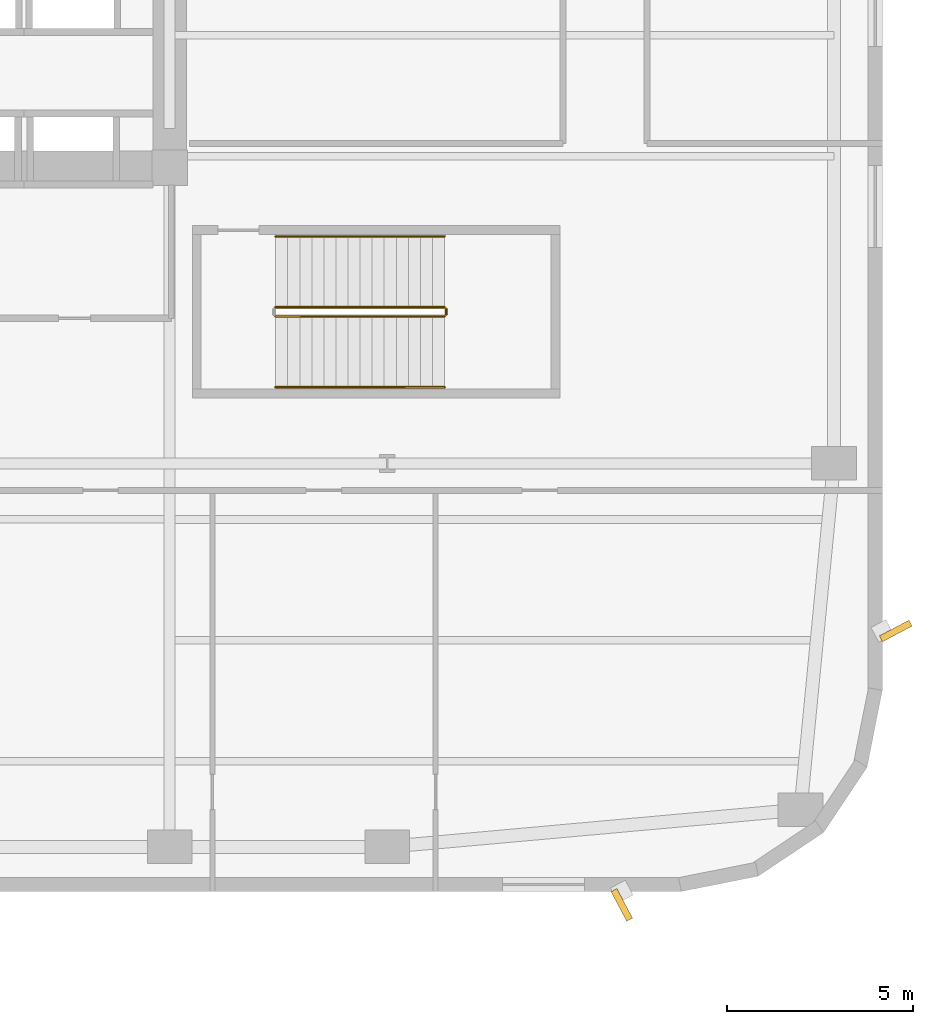
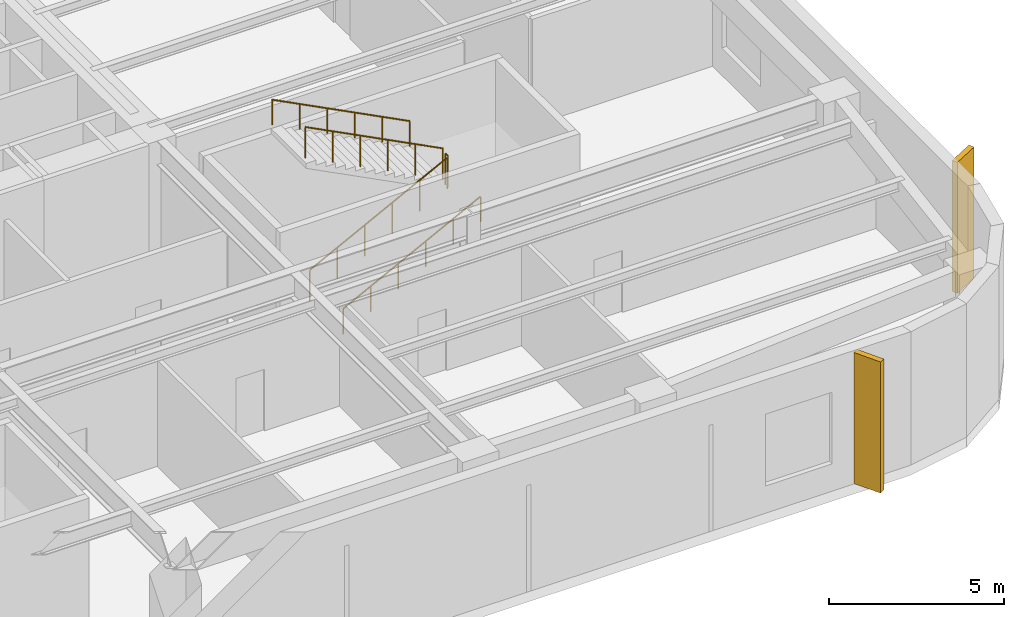
# One storey, part 23 of 24: 5 railings, 2 shading devices.
"""IFC4 building model written with IfcOpenShell, lengths in metres."""

from ifc_helpers import new_model, si_unit, direction, frame, origin, origin_2d, place, context, subcontext, project, spatial, rectangle, circle, extrude, material, type_object, element, save


model = new_model("IFC4")

# Units and contexts
model_context = context("Model", 3, precision=1e-05, world=origin(), true_north=direction((0.0, 1.0)))
body_context = subcontext(model_context, "Body", "Model", "MODEL_VIEW")
ifc_project = project(units=[si_unit("LENGTHUNIT", "METRE"), si_unit("AREAUNIT", "SQUARE_METRE"), si_unit("VOLUMEUNIT", "CUBIC_METRE"), si_unit("PLANEANGLEUNIT", "RADIAN"), si_unit("MASSUNIT", "GRAM", prefix="KILO")], contexts=[model_context])

# Site, building, storey
site_placement = place(None, origin())
site = spatial("IfcSite", under=ifc_project, at=site_placement, CompositionType="ELEMENT")
building_placement = place(site_placement, origin())
building = spatial("IfcBuilding", under=site, at=building_placement, Name="Kolvaren Arena Tower", CompositionType="ELEMENT")
storey_placement = place(building_placement, frame((0.0, 0.0, 23.0)))
storey = spatial("IfcBuildingStorey", under=building, at=storey_placement, Name="L04", CompositionType="ELEMENT", Elevation=23.0)

# Railings
ifc_material_1 = material(Name="Painted galvanized steel", Category="steel")
railing_type_1 = type_object("IfcRailingType", Name="GUARD-ST-110", PredefinedType="GUARDRAIL", material=ifc_material_1)
railing_1_placement = place(storey_placement, frame((63.199951171875, 15.449951171875, 0.166748046875)))
element("IfcRailing", 1, at=railing_1_placement, inside=storey, type_object=railing_type_1, Name="L04 ST-A4 stair guard 1", PredefinedType="GUARDRAIL", context=body_context, shape_type="SweptSolid", body=[
    extrude(circle(Radius=0.02392578125, at=origin_2d()), frame((0.0, 0.0, 1.076171875), z_axis=(0.889257211316, 0.0, 0.457407490234), x_axis=(0.0, 1.0, 0.0)), (0.0, 0.0, 1.0), 5.10107421875),
    extrude(circle(Radius=0.02099609375, at=origin_2d()), origin(), (0.0, 0.0, 1.0), 1.052001953125),
    extrude(circle(Radius=0.02099609375, at=origin_2d()), frame((0.9072265625, 0.0, 0.466552734375)), (0.0, 0.0, 1.0), 1.052001953125),
    extrude(circle(Radius=0.02099609375, at=origin_2d()), frame((1.814453125, 0.0, 0.933349609375)), (0.0, 0.0, 1.0), 1.052001953125),
    extrude(circle(Radius=0.02099609375, at=origin_2d()), frame((2.7216796875, 0.0, 1.39990234375)), (0.0, 0.0, 1.0), 1.052001953125),
    extrude(circle(Radius=0.02099609375, at=origin_2d()), frame((3.62890625, 0.0, 1.86669921875)), (0.0, 0.0, 1.0), 1.052001953125),
    extrude(circle(Radius=0.02099609375, at=origin_2d()), frame((4.5361328125, 0.0, 2.333251953125)), (0.0, 0.0, 1.0), 1.052001953125),
])
railing_2_placement = place(storey_placement, frame((67.785888671875, 15.5, 2.5)))
element("IfcRailing", 2, at=railing_2_placement, inside=storey, type_object=railing_type_1, Name="L04 ST-A4 stair guard 2", PredefinedType="GUARDRAIL", context=body_context, shape_type="SweptSolid", body=[
    extrude(circle(Radius=0.02392578125, at=origin_2d()), frame((0.0, 0.0, 1.076171875), z_axis=(0.0, 1.0, 0.0), x_axis=(-1.0, 0.0, 0.0)), (0.0, 0.0, 1.0), 0.14990234375),
    extrude(circle(Radius=0.02099609375, at=origin_2d()), origin(), (0.0, 0.0, 1.0), 1.052001953125),
    extrude(circle(Radius=0.02099609375, at=origin_2d()), frame((0.0, 0.14990234375, 0.0)), (0.0, 0.0, 1.0), 1.052001953125),
])
railing_3_placement = place(storey_placement, frame((67.736083984375, 15.699951171875, 2.666748046875)))
element("IfcRailing", 3, at=railing_3_placement, inside=storey, type_object=railing_type_1, Name="L04 ST-A4 stair guard 3", PredefinedType="GUARDRAIL", context=body_context, shape_type="SweptSolid", body=[
    extrude(circle(Radius=0.02392578125, at=origin_2d()), frame((0.0, 0.0, 1.076171875), z_axis=(-0.889257211316, 0.0, 0.457407490234), x_axis=(0.0, -1.0, 0.0)), (0.0, 0.0, 1.0), 5.10107421875),
    extrude(circle(Radius=0.02099609375, at=origin_2d()), origin(), (0.0, 0.0, 1.0), 1.052001953125),
    extrude(circle(Radius=0.02099609375, at=origin_2d()), frame((-0.9072265625, 0.0, 0.466552734375)), (0.0, 0.0, 1.0), 1.052001953125),
    extrude(circle(Radius=0.02099609375, at=origin_2d()), frame((-1.814453125, 0.0, 0.933349609375)), (0.0, 0.0, 1.0), 1.052001953125),
    extrude(circle(Radius=0.02099609375, at=origin_2d()), frame((-2.7216796875, 0.0, 1.39990234375)), (0.0, 0.0, 1.0), 1.052001953125),
    extrude(circle(Radius=0.02099609375, at=origin_2d()), frame((-3.62890625, 0.0, 1.86669921875)), (0.0, 0.0, 1.0), 1.052001953125),
    extrude(circle(Radius=0.02099609375, at=origin_2d()), frame((-4.5361328125, 0.0, 2.333251953125)), (0.0, 0.0, 1.0), 1.052001953125),
])
ifc_material_2 = material(Name="Brushed stainless steel handrail", Category="steel")
railing_type_2 = type_object("IfcRailingType", Name="HRAIL-900", PredefinedType="HANDRAIL", material=ifc_material_2)
railing_4_placement = place(storey_placement, frame((63.199951171875, 13.550048828125, 0.166748046875)))
element("IfcRailing", 4, at=railing_4_placement, inside=storey, type_object=railing_type_2, Name="L04 ST-A4 stair handrail 1", PredefinedType="HANDRAIL", context=body_context, shape_type="SweptSolid", body=[
    extrude(circle(Radius=0.02392578125, at=origin_2d()), frame((0.0, 0.0, 0.8759765625), z_axis=(0.889257211316, 0.0, 0.457407490234), x_axis=(0.0, 1.0, 0.0)), (0.0, 0.0, 1.0), 5.10107421875),
    extrude(circle(Radius=0.02099609375, at=origin_2d()), origin(), (0.0, 0.0, 1.0), 0.851806640625),
    extrude(circle(Radius=0.02099609375, at=origin_2d()), frame((0.9072265625, 0.0, 0.466552734375)), (0.0, 0.0, 1.0), 0.851806640625),
    extrude(circle(Radius=0.02099609375, at=origin_2d()), frame((1.814453125, 0.0, 0.933349609375)), (0.0, 0.0, 1.0), 0.851806640625),
    extrude(circle(Radius=0.02099609375, at=origin_2d()), frame((2.7216796875, 0.0, 1.39990234375)), (0.0, 0.0, 1.0), 0.851806640625),
    extrude(circle(Radius=0.02099609375, at=origin_2d()), frame((3.62890625, 0.0, 1.86669921875)), (0.0, 0.0, 1.0), 0.851806640625),
    extrude(circle(Radius=0.02099609375, at=origin_2d()), frame((4.5361328125, 0.0, 2.333251953125)), (0.0, 0.0, 1.0), 0.851806640625),
])
railing_5_placement = place(storey_placement, frame((67.736083984375, 17.60009765625, 2.666748046875)))
element("IfcRailing", 5, at=railing_5_placement, inside=storey, type_object=railing_type_2, Name="L04 ST-A4 stair handrail 2", PredefinedType="HANDRAIL", context=body_context, shape_type="SweptSolid", body=[
    extrude(circle(Radius=0.02392578125, at=origin_2d()), frame((0.0, 0.0, 0.8759765625), z_axis=(-0.889257211316, 0.0, 0.457407490234), x_axis=(0.0, -1.0, 0.0)), (0.0, 0.0, 1.0), 5.10107421875),
    extrude(circle(Radius=0.02099609375, at=origin_2d()), origin(), (0.0, 0.0, 1.0), 0.851806640625),
    extrude(circle(Radius=0.02099609375, at=origin_2d()), frame((-0.9072265625, 0.0, 0.466552734375)), (0.0, 0.0, 1.0), 0.851806640625),
    extrude(circle(Radius=0.02099609375, at=origin_2d()), frame((-1.814453125, 0.0, 0.933349609375)), (0.0, 0.0, 1.0), 0.851806640625),
    extrude(circle(Radius=0.02099609375, at=origin_2d()), frame((-2.7216796875, 0.0, 1.39990234375)), (0.0, 0.0, 1.0), 0.851806640625),
    extrude(circle(Radius=0.02099609375, at=origin_2d()), frame((-3.62890625, 0.0, 1.86669921875)), (0.0, 0.0, 1.0), 0.851806640625),
    extrude(circle(Radius=0.02099609375, at=origin_2d()), frame((-4.5361328125, 0.0, 2.333251953125)), (0.0, 0.0, 1.0), 0.851806640625),
])

# Shading devices
ifc_material_3 = material(Name="Precast architectural concrete C50/60 rib fin", Category="concrete")
shading_device_type = type_object("IfcShadingDeviceType", Name="SHAD-FIN-28", PredefinedType="USERDEFINED", material=ifc_material_3)
for number, where, z_axis, x_axis, name in (
    (6, (79.860107421875, 7.0, 0.02001953125), (0.0, 0.0, 1.0), (0.882947592859, 0.469471562786, 0.0), "Arena Podium 28-Deg Precast Fin (L04)"),
    (7, (72.5, -0.360107421875, 0.02001953125), (0.0, 0.0, 1.0), (0.469471562786, -0.882947592859, 0.0), "Arena Podium 28-Deg Precast Fin (L04)"),
):
    element("IfcShadingDevice", number, at=place(storey_placement, frame(where, z_axis=z_axis, x_axis=x_axis)), inside=storey, type_object=shading_device_type, Name=name, ObjectType="FIN", PredefinedType="USERDEFINED", context=body_context, shape_type="SweptSolid", body=[
        extrude(rectangle(XDim=0.89990234375, YDim=0.179931640625, at=origin_2d()), origin(), (0.0, 0.0, 1.0), 4.570068359375),
    ])

save(model, "model.ifc")
